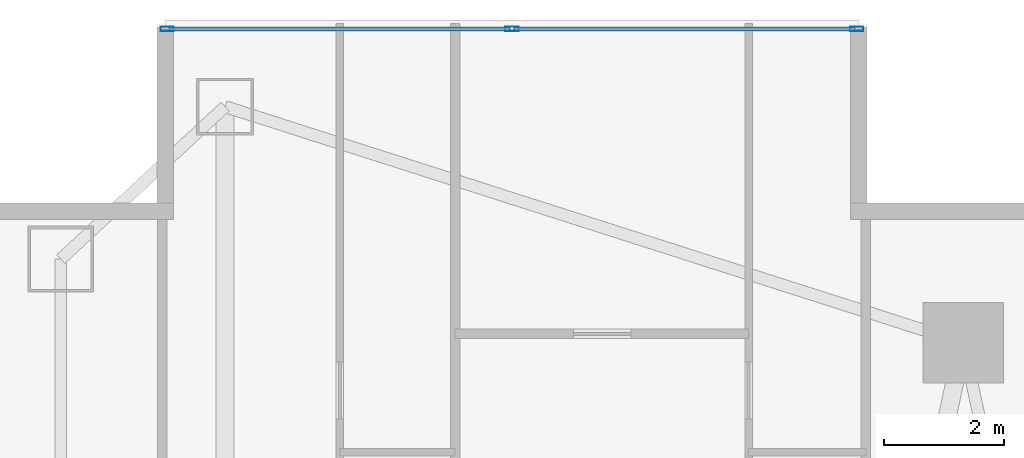
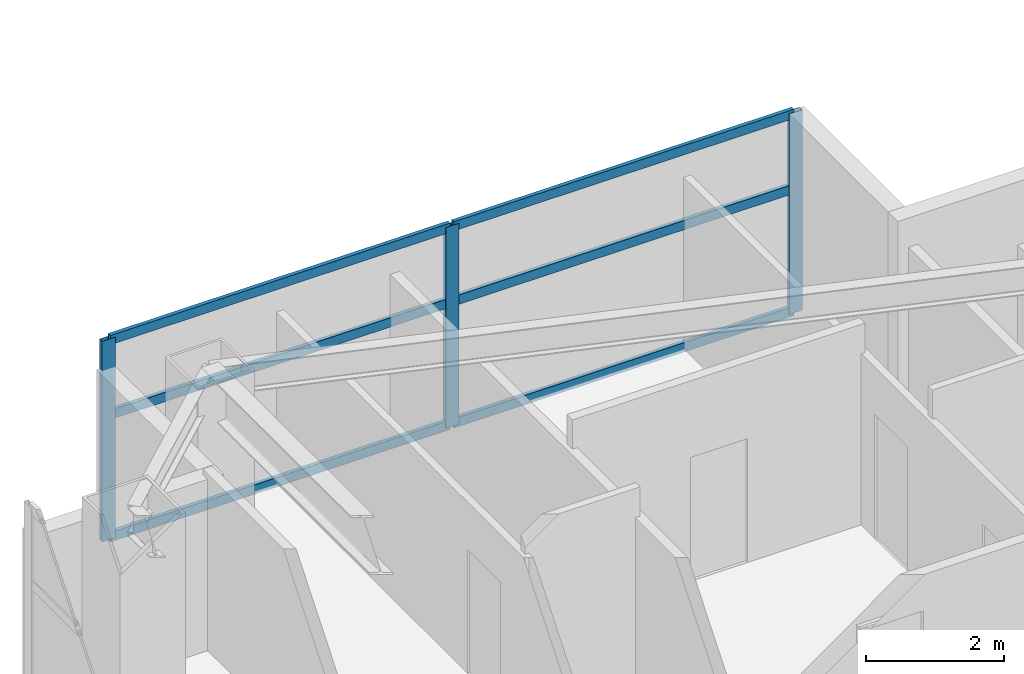
# One storey, part 19 of 30: 9 members, 1 element without a shape of its own.
"""IFC4 building model written with IfcOpenShell, lengths in metres."""

from ifc_helpers import new_model, si_unit, direction, frame, origin, origin_2d, place, context, subcontext, project, spatial, hollow_rectangle, extrude, material, layer, layer_set, material_profile, profile_set, type_object, element, aggregate, save


model = new_model("IFC4")

# Units and contexts
model_context = context("Model", 3, precision=1e-05, world=origin(), true_north=direction((0.0, 1.0)))
body_context = subcontext(model_context, "Body", "Model", "MODEL_VIEW")
ifc_project = project(units=[si_unit("LENGTHUNIT", "METRE"), si_unit("AREAUNIT", "SQUARE_METRE"), si_unit("VOLUMEUNIT", "CUBIC_METRE"), si_unit("PLANEANGLEUNIT", "RADIAN"), si_unit("MASSUNIT", "GRAM", prefix="KILO")], contexts=[model_context])

# Site, building, storey
site_placement = place(None, origin())
site = spatial("IfcSite", under=ifc_project, at=site_placement, CompositionType="ELEMENT")
building_placement = place(site_placement, origin())
building = spatial("IfcBuilding", under=site, at=building_placement, Name="Calvorn Quay Hotel", CompositionType="ELEMENT")
storey_placement = place(building_placement, frame((0.0, 0.0, 77.39990234375)))
storey = spatial("IfcBuildingStorey", under=building, at=storey_placement, Name="L18", CompositionType="ELEMENT", Elevation=77.39990234375)

# Curtain wall, members
ifc_material_1 = material(Name="Pale Anodised Aluminium and Low-E Glass", Category="aluminium")
ifc_layer = layer(ifc_material_1, 0.219970703125)
ifc_layer_set = layer_set([ifc_layer], Name="CW-SYS-Z1")
curtain_wall_type = type_object("IfcCurtainWallType", Name="CW-SYS-Z1", PredefinedType="NOTDEFINED", material=ifc_layer_set)
curtain_wall_placement = place(storey_placement, origin())
curtain_wall = element("IfcCurtainWall", 1, at=curtain_wall_placement, inside=storey, type_object=curtain_wall_type, Name="Inner Court Curtain Wall L18-N1", PredefinedType="NOTDEFINED")
ifc_material_2 = material(Name="Pale Anodised Aluminium 6063-T6", Category="aluminium")
ifc_material_profile_1 = material_profile(ifc_material_2, hollow_rectangle(XDim=0.074951171875, YDim=0.219970703125, WallThickness=0.00439453125, at=origin_2d()), Name="ALU-M220x75x4.5")
ifc_profile_set_1 = profile_set([ifc_material_profile_1], Name="Pale Anodised Aluminium 6063-T6")
member_type_1 = type_object("IfcMemberType", Name="CW-SYS-Z1-MUL", PredefinedType="MULLION", material=ifc_profile_set_1)
member_1_placement = place(storey_placement, frame((14.77001953125, 50.85009765625, 0.0), z_axis=(0.0, 0.0, 1.0), x_axis=(0.0, -1.0, 0.0)))
member_1 = element("IfcMember", 2, at=member_1_placement, type_object=member_type_1, Name="CW-L18-N1 mullion 1", PredefinedType="MULLION", context=body_context, shape_type="SweptSolid", body=[
    extrude(hollow_rectangle(XDim=0.074951171875, YDim=0.219970703125, WallThickness=0.00439453125, at=origin_2d()), origin(), (0.0, 0.0, 1.0), 3.56005859375),
])
member_2_placement = place(storey_placement, frame((9.0, 50.85009765625, 0.0), z_axis=(0.0, 0.0, 1.0), x_axis=(0.0, -1.0, 0.0)))
member_2 = element("IfcMember", 3, at=member_2_placement, type_object=member_type_1, Name="CW-L18-N1 mullion 2", PredefinedType="MULLION", context=body_context, shape_type="SweptSolid", body=[
    extrude(hollow_rectangle(XDim=0.074951171875, YDim=0.219970703125, WallThickness=0.00439453125, at=origin_2d()), origin(), (0.0, 0.0, 1.0), 3.56005859375),
])
member_3_placement = place(storey_placement, frame((3.22998046875, 50.85009765625, 0.0), z_axis=(0.0, 0.0, 1.0), x_axis=(0.0, -1.0, 0.0)))
member_3 = element("IfcMember", 4, at=member_3_placement, type_object=member_type_1, Name="CW-L18-N1 mullion 3", PredefinedType="MULLION", context=body_context, shape_type="SweptSolid", body=[
    extrude(hollow_rectangle(XDim=0.074951171875, YDim=0.219970703125, WallThickness=0.00439453125, at=origin_2d()), origin(), (0.0, 0.0, 1.0), 3.56005859375),
])
ifc_material_3 = material(Name="Pale Anodised Aluminium 6063-T6", Category="aluminium")
ifc_material_profile_2 = material_profile(ifc_material_3, hollow_rectangle(XDim=0.06494140625, YDim=0.1650390625, WallThickness=0.00341796875, at=origin_2d()), Name="ALU-T165x65x3.5")
ifc_profile_set_2 = profile_set([ifc_material_profile_2], Name="Pale Anodised Aluminium 6063-T6")
member_type_2 = type_object("IfcMemberType", Name="CW-SYS-Z1-TRN", PredefinedType="USERDEFINED", material=ifc_profile_set_2)
member_4_placement = place(storey_placement, frame((14.739990234375, 50.85009765625, 0.030029296875), z_axis=(-1.0, 0.0, 0.0), x_axis=(0.0, -1.0, 0.0)))
member_4 = element("IfcMember", 5, at=member_4_placement, type_object=member_type_2, Name="CW-L18-N1 transom 1.1", ObjectType="TRANSOM", PredefinedType="USERDEFINED", context=body_context, shape_type="SweptSolid", body=[
    extrude(hollow_rectangle(XDim=0.06494140625, YDim=0.1650390625, WallThickness=0.00341796875, at=origin_2d()), origin(), (0.0, 0.0, 1.0), 5.7099609375),
])
member_5_placement = place(storey_placement, frame((14.739990234375, 50.85009765625, 2.2001953125), z_axis=(-1.0, 0.0, 0.0), x_axis=(0.0, -1.0, 0.0)))
member_5 = element("IfcMember", 6, at=member_5_placement, type_object=member_type_2, Name="CW-L18-N1 transom 1.2", ObjectType="TRANSOM", PredefinedType="USERDEFINED", context=body_context, shape_type="SweptSolid", body=[
    extrude(hollow_rectangle(XDim=0.06494140625, YDim=0.1650390625, WallThickness=0.00341796875, at=origin_2d()), origin(), (0.0, 0.0, 1.0), 5.7099609375),
])
member_6_placement = place(storey_placement, frame((14.739990234375, 50.85009765625, 3.530029296875), z_axis=(-1.0, 0.0, 0.0), x_axis=(0.0, -1.0, 0.0)))
member_6 = element("IfcMember", 7, at=member_6_placement, type_object=member_type_2, Name="CW-L18-N1 transom 1.3", ObjectType="TRANSOM", PredefinedType="USERDEFINED", context=body_context, shape_type="SweptSolid", body=[
    extrude(hollow_rectangle(XDim=0.06494140625, YDim=0.1650390625, WallThickness=0.00341796875, at=origin_2d()), origin(), (0.0, 0.0, 1.0), 5.7099609375),
])
member_7_placement = place(storey_placement, frame((8.969970703125, 50.85009765625, 0.030029296875), z_axis=(-1.0, 0.0, 0.0), x_axis=(0.0, -1.0, 0.0)))
member_7 = element("IfcMember", 8, at=member_7_placement, type_object=member_type_2, Name="CW-L18-N1 transom 2.1", ObjectType="TRANSOM", PredefinedType="USERDEFINED", context=body_context, shape_type="SweptSolid", body=[
    extrude(hollow_rectangle(XDim=0.06494140625, YDim=0.1650390625, WallThickness=0.00341796875, at=origin_2d()), origin(), (0.0, 0.0, 1.0), 5.7099609375),
])
member_8_placement = place(storey_placement, frame((8.969970703125, 50.85009765625, 2.2001953125), z_axis=(-1.0, 0.0, 0.0), x_axis=(0.0, -1.0, 0.0)))
member_8 = element("IfcMember", 9, at=member_8_placement, type_object=member_type_2, Name="CW-L18-N1 transom 2.2", ObjectType="TRANSOM", PredefinedType="USERDEFINED", context=body_context, shape_type="SweptSolid", body=[
    extrude(hollow_rectangle(XDim=0.06494140625, YDim=0.1650390625, WallThickness=0.00341796875, at=origin_2d()), origin(), (0.0, 0.0, 1.0), 5.7099609375),
])
member_9_placement = place(storey_placement, frame((8.969970703125, 50.85009765625, 3.530029296875), z_axis=(-1.0, 0.0, 0.0), x_axis=(0.0, -1.0, 0.0)))
member_9 = element("IfcMember", 10, at=member_9_placement, type_object=member_type_2, Name="CW-L18-N1 transom 2.3", ObjectType="TRANSOM", PredefinedType="USERDEFINED", context=body_context, shape_type="SweptSolid", body=[
    extrude(hollow_rectangle(XDim=0.06494140625, YDim=0.1650390625, WallThickness=0.00341796875, at=origin_2d()), origin(), (0.0, 0.0, 1.0), 5.7099609375),
])
aggregate(curtain_wall, [member_1, member_2, member_3, member_4, member_5, member_6, member_7, member_8, member_9])

save(model, "model.ifc")
